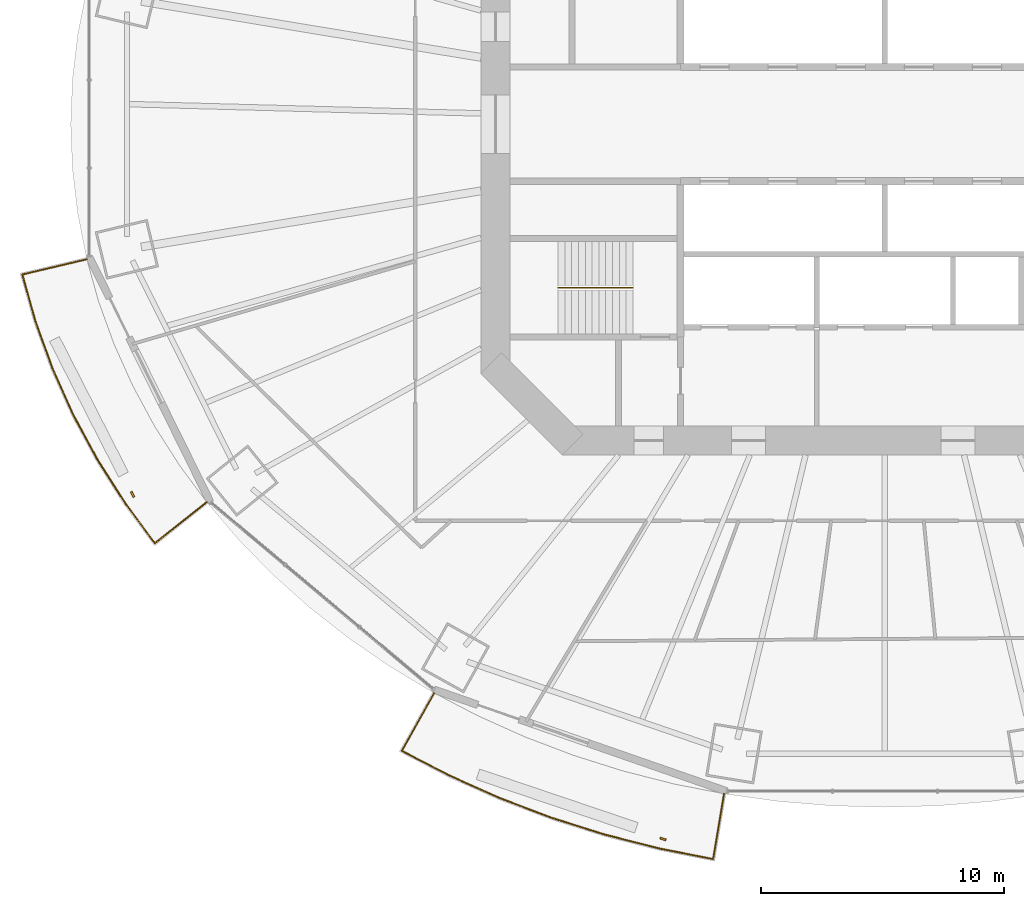
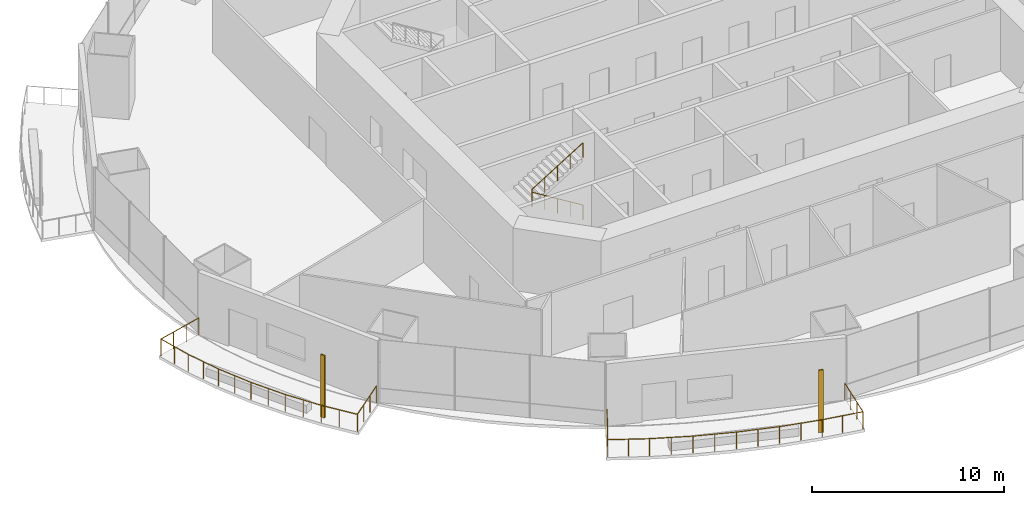
# One storey, part 16 of 20: 3 railings, 2 shading devices.
"""IFC4 building model written with IfcOpenShell, lengths in metres."""

from ifc_helpers import new_model, si_unit, direction, frame, origin, origin_2d, place, context, subcontext, project, spatial, rectangle, circle, extrude, material, material_profile, profile_set, type_object, element, save


model = new_model("IFC4")

# Units and contexts
model_context = context("Model", 3, precision=1e-05, world=origin(), true_north=direction((0.0, 1.0)))
body_context = subcontext(model_context, "Body", "Model", "MODEL_VIEW")
ifc_project = project(units=[si_unit("LENGTHUNIT", "METRE"), si_unit("AREAUNIT", "SQUARE_METRE"), si_unit("VOLUMEUNIT", "CUBIC_METRE"), si_unit("PLANEANGLEUNIT", "RADIAN"), si_unit("MASSUNIT", "GRAM", prefix="KILO")], contexts=[model_context])

# Site, building, storey
site_placement = place(None, origin())
site = spatial("IfcSite", under=ifc_project, at=site_placement, CompositionType="ELEMENT")
building_placement = place(site_placement, origin())
building = spatial("IfcBuilding", under=site, at=building_placement, Name="Marenthal Gate Tower", CompositionType="ELEMENT")
storey_placement = place(building_placement, frame((0.0, 0.0, 136.75)))
storey = spatial("IfcBuildingStorey", under=building, at=storey_placement, Name="L29", CompositionType="ELEMENT", Elevation=136.75)

# Railings
ifc_material_1 = material(Name="Stainless steel", Category="steel")
railing_type_1 = type_object("IfcRailingType", Name="Balcony guard 1100", PredefinedType="GUARDRAIL", material=ifc_material_1)
railing_1_placement = place(storey_placement, frame((-27.872314453125, -15.5361328125, 0.0)))
element("IfcRailing", 1, at=railing_1_placement, inside=storey, type_object=railing_type_1, Name="Balcony guard L29 bay 9", PredefinedType="GUARDRAIL", context=body_context, shape_type="SweptSolid", body=[
    extrude(circle(Radius=0.02392578125, at=origin_2d()), frame((0.0, 0.0, 1.076171875), z_axis=(-0.782497400994, -0.622479868482, -0.014718382127), x_axis=(0.622547303586, -0.782582171275, 0.0)), (0.0, 0.0, 1.0), 2.720458984375),
    extrude(circle(Radius=0.02392578125, at=origin_2d()), frame((-2.128662109375, -1.693359375, 1.0361328125), z_axis=(-0.594330839548, 0.80422064955, 0.0), x_axis=(-0.80422064955, -0.594330839548, 0.0)), (0.0, 0.0, 1.0), 2.0517578125),
    extrude(circle(Radius=0.02392578125, at=origin_2d()), frame((-3.34814453125, -0.043212890625, 1.0361328125), z_axis=(-0.537211554798, 0.843447535649, 0.0), x_axis=(-0.843447535649, -0.537211554798, 0.0)), (0.0, 0.0, 1.0), 2.114990234375),
    extrude(circle(Radius=0.02392578125, at=origin_2d()), frame((-4.484375, 1.74072265625, 1.0361328125), z_axis=(-0.475084098287, 0.879940395456, 0.0), x_axis=(-0.879940395456, -0.475084098287, 0.0)), (0.0, 0.0, 1.0), 2.099853515625),
    extrude(circle(Radius=0.02392578125, at=origin_2d()), frame((-5.48193359375, 3.58837890625, 1.0361328125), z_axis=(-0.409274320643, 0.912411382252, 0.0), x_axis=(-0.912411382252, -0.409274320643, 0.0)), (0.0, 0.0, 1.0), 2.0859375),
    extrude(circle(Radius=0.02392578125, at=origin_2d()), frame((-6.335693359375, 5.49169921875, 1.0361328125), z_axis=(-0.339927901039, 0.940451499066, 0.0), x_axis=(-0.940451499066, -0.339927901039, 0.0)), (0.0, 0.0, 1.0), 2.07421875),
    extrude(circle(Radius=0.02392578125, at=origin_2d()), frame((-7.040771484375, 7.4423828125, 1.0361328125), z_axis=(-0.269159912303, 0.963095499735, 0.0), x_axis=(-0.963095499735, -0.269159912303, 0.0)), (0.0, 0.0, 1.0), 1.984619140625),
    extrude(circle(Radius=0.02392578125, at=origin_2d()), frame((-7.574951171875, 9.353759765625, 1.0361328125), z_axis=(0.972966930586, 0.230474963356, 0.014718806071), x_axis=(-0.230499932836, 0.973072341074, 0.0)), (0.0, 0.0, 1.0), 2.72021484375),
    extrude(circle(Radius=0.02099609375, at=origin_2d()), origin(), (0.0, 0.0, 1.0), 1.052001953125),
    extrude(circle(Radius=0.02099609375, at=origin_2d()), frame((-0.70947265625, -0.564453125, -0.013427734375)), (0.0, 0.0, 1.0), 1.052001953125),
    extrude(circle(Radius=0.02099609375, at=origin_2d()), frame((-1.419189453125, -1.12890625, -0.026611328125)), (0.0, 0.0, 1.0), 1.052001953125),
    extrude(circle(Radius=0.02099609375, at=origin_2d()), frame((-2.128662109375, -1.693359375, -0.0400390625)), (0.0, 0.0, 1.0), 1.052001953125),
    extrude(circle(Radius=0.02099609375, at=origin_2d()), frame((-2.73828125, -0.8681640625, -0.0400390625)), (0.0, 0.0, 1.0), 1.052001953125),
    extrude(circle(Radius=0.02099609375, at=origin_2d()), frame((-3.34814453125, -0.043212890625, -0.0400390625)), (0.0, 0.0, 1.0), 1.052001953125),
    extrude(circle(Radius=0.02099609375, at=origin_2d()), frame((-3.916259765625, 0.8486328125, -0.0400390625)), (0.0, 0.0, 1.0), 1.052001953125),
    extrude(circle(Radius=0.02099609375, at=origin_2d()), frame((-4.484375, 1.74072265625, -0.0400390625)), (0.0, 0.0, 1.0), 1.052001953125),
    extrude(circle(Radius=0.02099609375, at=origin_2d()), frame((-4.983154296875, 2.66455078125, -0.0400390625)), (0.0, 0.0, 1.0), 1.052001953125),
    extrude(circle(Radius=0.02099609375, at=origin_2d()), frame((-5.48193359375, 3.58837890625, -0.0400390625)), (0.0, 0.0, 1.0), 1.052001953125),
    extrude(circle(Radius=0.02099609375, at=origin_2d()), frame((-5.90869140625, 4.5400390625, -0.0400390625)), (0.0, 0.0, 1.0), 1.052001953125),
    extrude(circle(Radius=0.02099609375, at=origin_2d()), frame((-6.335693359375, 5.49169921875, -0.0400390625)), (0.0, 0.0, 1.0), 1.052001953125),
    extrude(circle(Radius=0.02099609375, at=origin_2d()), frame((-6.688232421875, 6.467041015625, -0.0400390625)), (0.0, 0.0, 1.0), 1.052001953125),
    extrude(circle(Radius=0.02099609375, at=origin_2d()), frame((-7.040771484375, 7.4423828125, -0.0400390625)), (0.0, 0.0, 1.0), 1.052001953125),
    extrude(circle(Radius=0.02099609375, at=origin_2d()), frame((-7.307861328125, 8.39794921875, -0.0400390625)), (0.0, 0.0, 1.0), 1.052001953125),
    extrude(circle(Radius=0.02099609375, at=origin_2d()), frame((-7.574951171875, 9.353759765625, -0.0400390625)), (0.0, 0.0, 1.0), 1.052001953125),
    extrude(circle(Radius=0.02099609375, at=origin_2d()), frame((-6.692626953125, 9.562744140625, -0.026611328125)), (0.0, 0.0, 1.0), 1.052001953125),
    extrude(circle(Radius=0.02099609375, at=origin_2d()), frame((-5.810546875, 9.771728515625, -0.013427734375)), (0.0, 0.0, 1.0), 1.052001953125),
    extrude(circle(Radius=0.02099609375, at=origin_2d()), frame((-4.92822265625, 9.980712890625, 0.0)), (0.0, 0.0, 1.0), 1.052001953125),
])
railing_2_placement = place(storey_placement, frame((-6.60693359375, -27.5244140625, 0.0)))
element("IfcRailing", 2, at=railing_2_placement, inside=storey, type_object=railing_type_1, Name="Balcony guard L29 bay 11", PredefinedType="GUARDRAIL", context=body_context, shape_type="SweptSolid", body=[
    extrude(circle(Radius=0.02392578125, at=origin_2d()), frame((0.0, 0.0, 1.076171875), z_axis=(-0.164774109377, -0.986221507592, -0.014718384498), x_axis=(0.986328347949, -0.164791959854, 0.0)), (0.0, 0.0, 1.0), 2.720458984375),
    extrude(circle(Radius=0.02392578125, at=origin_2d()), frame((-0.4482421875, -2.682861328125, 1.0361328125), z_axis=(-0.981190742026, 0.193040741199, 0.0), x_axis=(-0.193040741199, -0.981190742026, 0.0)), (0.0, 0.0, 1.0), 2.244873046875),
    extrude(circle(Radius=0.02392578125, at=origin_2d()), frame((-2.65087890625, -2.24951171875, 1.0361328125), z_axis=(-0.969110463154, 0.246627067057, 0.0), x_axis=(-0.246627067057, -0.969110463154, 0.0)), (0.0, 0.0, 1.0), 2.3154296875),
    extrude(circle(Radius=0.02392578125, at=origin_2d()), frame((-4.894775390625, -1.678466796875, 1.0361328125), z_axis=(-0.953555439672, 0.301217568332, 0.0), x_axis=(-0.301217568332, -0.953555439672, 0.0)), (0.0, 0.0, 1.0), 2.30419921875),
    extrude(circle(Radius=0.02392578125, at=origin_2d()), frame((-7.092041015625, -0.984375, 1.0361328125), z_axis=(-0.934725540452, 0.355370460261, 0.0), x_axis=(-0.355370460261, -0.934725540452, 0.0)), (0.0, 0.0, 1.0), 2.291259765625),
    extrude(circle(Radius=0.02392578125, at=origin_2d()), frame((-9.233642578125, -0.170166015625, 1.0361328125), z_axis=(-0.912426484208, 0.409240651591, 0.0), x_axis=(-0.409240651591, -0.912426484208, 0.0)), (0.0, 0.0, 1.0), 2.276611328125),
    extrude(circle(Radius=0.02392578125, at=origin_2d()), frame((-11.310791015625, 0.761474609375, 1.0361328125), z_axis=(-0.887053580422, 0.461666487261, 0.0), x_axis=(-0.461666487261, -0.887053580422, 0.0)), (0.0, 0.0, 1.0), 2.180419921875),
    extrude(circle(Radius=0.02392578125, at=origin_2d()), frame((-13.244873046875, 1.76806640625, 1.0361328125), z_axis=(0.489304532784, 0.871988782196, 0.014718624977), x_axis=(-0.872083250464, 0.489357542356, 0.0)), (0.0, 0.0, 1.0), 2.72021484375),
    extrude(circle(Radius=0.02099609375, at=origin_2d()), origin(), (0.0, 0.0, 1.0), 1.052001953125),
    extrude(circle(Radius=0.02099609375, at=origin_2d()), frame((-0.1494140625, -0.894287109375, -0.013427734375)), (0.0, 0.0, 1.0), 1.052001953125),
    extrude(circle(Radius=0.02099609375, at=origin_2d()), frame((-0.298828125, -1.78857421875, -0.026611328125)), (0.0, 0.0, 1.0), 1.052001953125),
    extrude(circle(Radius=0.02099609375, at=origin_2d()), frame((-0.4482421875, -2.682861328125, -0.0400390625)), (0.0, 0.0, 1.0), 1.052001953125),
    extrude(circle(Radius=0.02099609375, at=origin_2d()), frame((-1.549560546875, -2.46630859375, -0.0400390625)), (0.0, 0.0, 1.0), 1.052001953125),
    extrude(circle(Radius=0.02099609375, at=origin_2d()), frame((-2.65087890625, -2.24951171875, -0.0400390625)), (0.0, 0.0, 1.0), 1.052001953125),
    extrude(circle(Radius=0.02099609375, at=origin_2d()), frame((-3.77294921875, -1.9638671875, -0.0400390625)), (0.0, 0.0, 1.0), 1.052001953125),
    extrude(circle(Radius=0.02099609375, at=origin_2d()), frame((-4.894775390625, -1.678466796875, -0.0400390625)), (0.0, 0.0, 1.0), 1.052001953125),
    extrude(circle(Radius=0.02099609375, at=origin_2d()), frame((-5.993408203125, -1.33154296875, -0.0400390625)), (0.0, 0.0, 1.0), 1.052001953125),
    extrude(circle(Radius=0.02099609375, at=origin_2d()), frame((-7.092041015625, -0.984375, -0.0400390625)), (0.0, 0.0, 1.0), 1.052001953125),
    extrude(circle(Radius=0.02099609375, at=origin_2d()), frame((-8.162841796875, -0.5771484375, -0.0400390625)), (0.0, 0.0, 1.0), 1.052001953125),
    extrude(circle(Radius=0.02099609375, at=origin_2d()), frame((-9.233642578125, -0.170166015625, -0.0400390625)), (0.0, 0.0, 1.0), 1.052001953125),
    extrude(circle(Radius=0.02099609375, at=origin_2d()), frame((-10.272216796875, 0.295654296875, -0.0400390625)), (0.0, 0.0, 1.0), 1.052001953125),
    extrude(circle(Radius=0.02099609375, at=origin_2d()), frame((-11.310791015625, 0.761474609375, -0.0400390625)), (0.0, 0.0, 1.0), 1.052001953125),
    extrude(circle(Radius=0.02099609375, at=origin_2d()), frame((-12.27783203125, 1.2646484375, -0.0400390625)), (0.0, 0.0, 1.0), 1.052001953125),
    extrude(circle(Radius=0.02099609375, at=origin_2d()), frame((-13.244873046875, 1.76806640625, -0.0400390625)), (0.0, 0.0, 1.0), 1.052001953125),
    extrude(circle(Radius=0.02099609375, at=origin_2d()), frame((-12.80126953125, 2.558837890625, -0.026611328125)), (0.0, 0.0, 1.0), 1.052001953125),
    extrude(circle(Radius=0.02099609375, at=origin_2d()), frame((-12.357421875, 3.349365234375, -0.013427734375)), (0.0, 0.0, 1.0), 1.052001953125),
    extrude(circle(Radius=0.02099609375, at=origin_2d()), frame((-11.913818359375, 4.14013671875, 0.0)), (0.0, 0.0, 1.0), 1.052001953125),
])
ifc_material_2 = material(Name="Stainless steel", Category="steel")
railing_type_2 = type_object("IfcRailingType", Name="Stair handrail", PredefinedType="HANDRAIL", material=ifc_material_2)
railing_3_placement = place(storey_placement, frame((-10.35009765625, -6.72509765625, 0.1728515625)))
element("IfcRailing", 3, at=railing_3_placement, inside=storey, type_object=railing_type_2, Name="Handrail ST2", PredefinedType="HANDRAIL", context=body_context, shape_type="SweptSolid", body=[
    extrude(circle(Radius=0.0224609375, at=origin_2d()), frame((0.0, 0.0, 0.927490234375), z_axis=(-0.850816621229, 0.0, 0.525462726595), x_axis=(0.0, -1.0, 0.0)), (0.0, 0.0, 1.0), 3.619873046875),
    extrude(circle(Radius=0.0224609375, at=origin_2d()), frame((-3.079833984375, 0.0, 2.82958984375), z_axis=(0.0, 0.0, 1.0), x_axis=(1.0, 0.0, 0.0)), (0.0, 0.0, 1.0), 0.1728515625),
    extrude(circle(Radius=0.0224609375, at=origin_2d()), frame((-3.079833984375, 0.0, 3.00244140625), z_axis=(0.850816621229, 0.0, 0.525462726595), x_axis=(0.0, 1.0, 0.0)), (0.0, 0.0, 1.0), 3.619873046875),
    extrude(circle(Radius=0.02001953125, at=origin_2d()), origin(), (0.0, 0.0, 1.0), 0.905029296875),
    extrude(circle(Radius=0.02001953125, at=origin_2d()), frame((-0.77001953125, 0.0, 0.4755859375)), (0.0, 0.0, 1.0), 0.905029296875),
    extrude(circle(Radius=0.02001953125, at=origin_2d()), frame((-1.5400390625, 0.0, 0.951171875)), (0.0, 0.0, 1.0), 0.905029296875),
    extrude(circle(Radius=0.02001953125, at=origin_2d()), frame((-2.309814453125, 0.0, 1.426513671875)), (0.0, 0.0, 1.0), 0.905029296875),
    extrude(circle(Radius=0.02001953125, at=origin_2d()), frame((-3.079833984375, 0.0, 1.902099609375)), (0.0, 0.0, 1.0), 0.905029296875),
    extrude(circle(Radius=0.02001953125, at=origin_2d()), frame((-3.079833984375, 0.0, 2.074951171875)), (0.0, 0.0, 1.0), 0.905029296875),
    extrude(circle(Radius=0.02001953125, at=origin_2d()), frame((-2.309814453125, 0.0, 2.550537109375)), (0.0, 0.0, 1.0), 0.905029296875),
    extrude(circle(Radius=0.02001953125, at=origin_2d()), frame((-1.5400390625, 0.0, 3.02587890625)), (0.0, 0.0, 1.0), 0.905029296875),
    extrude(circle(Radius=0.02001953125, at=origin_2d()), frame((-0.77001953125, 0.0, 3.50146484375)), (0.0, 0.0, 1.0), 0.905029296875),
    extrude(circle(Radius=0.02001953125, at=origin_2d()), frame((0.0, 0.0, 3.97705078125)), (0.0, 0.0, 1.0), 0.905029296875),
])

# Shading devices
ifc_material_3 = material(Name="Terracotta", Category="masonry")
ifc_material_profile = material_profile(ifc_material_3, rectangle(XDim=0.25, YDim=0.080078125, at=origin_2d()), Name="Terracotta baguette 250x80")
ifc_profile_set = profile_set([ifc_material_profile], Name="Terracotta")
shading_device_type = type_object("IfcShadingDeviceType", Name="Terracotta BAGUETTE SCREEN 250x80", PredefinedType="USERDEFINED", material=ifc_profile_set)
for number, where, z_axis, x_axis, name in (
    (4, (-30.916748046875, -15.217529296875, -0.0400390625), (0.0, 0.0, 1.0), (0.442571643987, -0.896733148678, 0.0), "Terracotta BAGUETTE L29 bay 9R"),
    (5, (-9.11376953125, -29.37841796875, -0.0400390625), (0.0, 0.0, 1.0), (0.944551667682, -0.328362828405, 0.0), "Terracotta BAGUETTE L29 bay 11R"),
):
    element("IfcShadingDevice", number, at=place(storey_placement, frame(where, z_axis=z_axis, x_axis=x_axis)), inside=storey, type_object=shading_device_type, Name=name, ObjectType="BAGUETTE SCREEN", PredefinedType="USERDEFINED", context=body_context, shape_type="SweptSolid", body=[
        extrude(rectangle(XDim=0.25, YDim=0.080078125, at=origin_2d()), origin(), (0.0, 0.0, 1.0), 3.969970703125),
    ])

save(model, "model.ifc")
